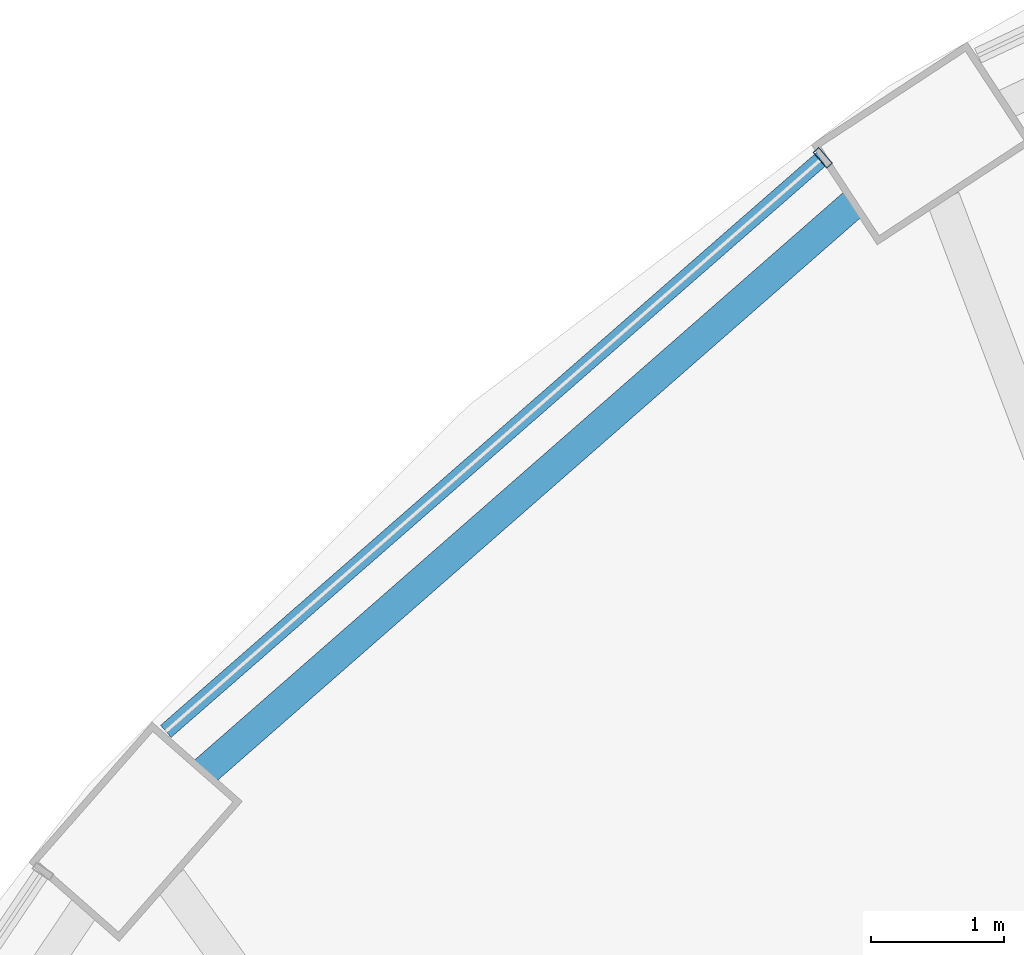
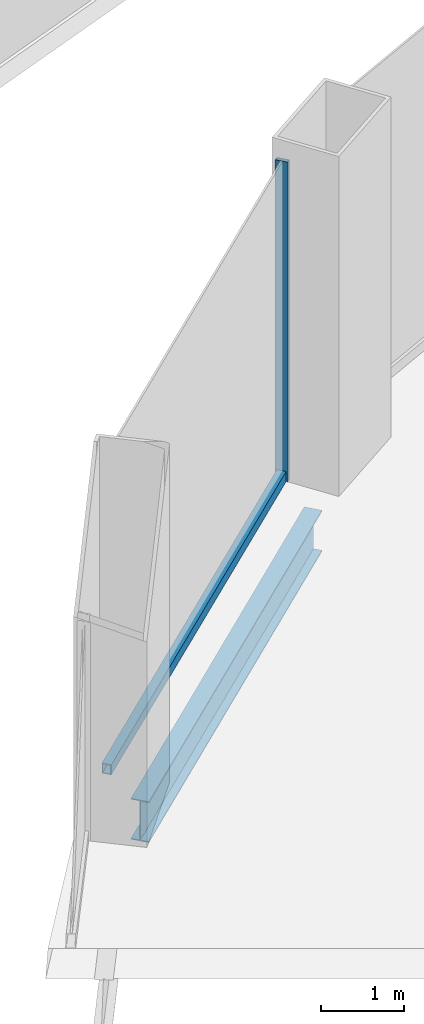
# One storey, part 29 of 47: 2 members, 1 beam, 1 element without a shape of its own.
"""IFC4 building model written with IfcOpenShell, lengths in metres."""

from ifc_helpers import new_model, si_unit, direction, frame, origin, origin_2d, place, context, subcontext, project, spatial, hollow_rectangle, i_section, extrude, material, layer, layer_set, material_profile, profile_set, type_object, element, aggregate, save


model = new_model("IFC4")

# Units and contexts
model_context = context("Model", 3, precision=1e-05, world=origin(), true_north=direction((0.0, 1.0)))
body_context = subcontext(model_context, "Body", "Model", "MODEL_VIEW")
ifc_project = project(units=[si_unit("LENGTHUNIT", "METRE"), si_unit("AREAUNIT", "SQUARE_METRE"), si_unit("VOLUMEUNIT", "CUBIC_METRE"), si_unit("PLANEANGLEUNIT", "RADIAN"), si_unit("MASSUNIT", "GRAM", prefix="KILO")], contexts=[model_context])

# Site, building, storey
site_placement = place(None, origin())
site = spatial("IfcSite", under=ifc_project, at=site_placement, CompositionType="ELEMENT")
building_placement = place(site_placement, origin())
building = spatial("IfcBuilding", under=site, at=building_placement, Name="Nagisa Residences", CompositionType="ELEMENT")
storey_placement = place(building_placement, frame((0.0, 0.0, 17.0)))
storey = spatial("IfcBuildingStorey", under=building, at=storey_placement, Name="L03", CompositionType="ELEMENT", Elevation=17.0)

# Curtain wall, members
ifc_material_1 = material(Name="Stainless steel curtain wall system", Category="steel")
ifc_layer = layer(ifc_material_1, 0.159912109375)
ifc_layer_set = layer_set([ifc_layer], Name="CW6 CURTAIN WALL")
curtain_wall_type = type_object("IfcCurtainWallType", Name="CW6 CURTAIN WALL", PredefinedType="NOTDEFINED", material=ifc_layer_set)
curtain_wall_placement = place(storey_placement, origin())
curtain_wall = element("IfcCurtainWall", 1, at=curtain_wall_placement, inside=storey, type_object=curtain_wall_type, Name="cw:CW6:L03:16", PredefinedType="NOTDEFINED")
ifc_material_2 = material(Name="Stainless steel", Category="steel")
ifc_material_profile_1 = material_profile(ifc_material_2, hollow_rectangle(XDim=0.159912109375, YDim=0.06005859375, WallThickness=0.006103515625, at=origin_2d()), Name="CW6 MULLION 160x60")
ifc_profile_set_1 = profile_set([ifc_material_profile_1], Name="Stainless steel")
member_type_1 = type_object("IfcMemberType", Name="CW6 MULLION 160x60", PredefinedType="MULLION", material=ifc_profile_set_1)
member_1_placement = place(storey_placement, frame((-11.397216796875, 28.038330078125, 0.0), z_axis=(0.0, 0.0, 1.0), x_axis=(0.657721475708, -0.753261216572, 0.0)))
member_1 = element("IfcMember", 2, at=member_1_placement, type_object=member_type_1, Name="CW6 mullion", PredefinedType="MULLION", context=body_context, shape_type="SweptSolid", body=[
    extrude(hollow_rectangle(XDim=0.159912109375, YDim=0.06005859375, WallThickness=0.006103515625, at=origin_2d()), origin(), (0.0, 0.0, 1.0), 4.699951171875),
])
ifc_material_3 = material(Name="Stainless steel", Category="steel")
ifc_material_profile_2 = material_profile(ifc_material_3, hollow_rectangle(XDim=0.1201171875, YDim=0.14990234375, WallThickness=0.008056640625, at=origin_2d()), Name="CW6 TRANSOM 120x150")
ifc_profile_set_2 = profile_set([ifc_material_profile_2], Name="Stainless steel")
member_type_2 = type_object("IfcMemberType", Name="CW6 TRANSOM 120x150", PredefinedType="USERDEFINED", material=ifc_profile_set_2)
member_2_placement = place(storey_placement, frame((-11.374755859375, 28.05810546875, 0.074951171875), z_axis=(-0.753255020636, -0.657728571591, 0.0), x_axis=(0.657728571591, -0.753255020636, 0.0)))
member_2 = element("IfcMember", 3, at=member_2_placement, type_object=member_type_2, Name="CW6 transom", ObjectType="TRANSOM", PredefinedType="USERDEFINED", context=body_context, shape_type="SweptSolid", body=[
    extrude(hollow_rectangle(XDim=0.1201171875, YDim=0.14990234375, WallThickness=0.008056640625, at=origin_2d()), origin(), (0.0, 0.0, 1.0), 6.5732421875),
])
aggregate(curtain_wall, [member_1, member_2])

# Beam
ifc_material_4 = material(Name="Steel ASTM A572 Gr 50", Category="steel")
ifc_material_profile_3 = material_profile(ifc_material_4, i_section(OverallWidth=0.22802734375, OverallDepth=0.60302734375, WebThickness=0.010498046875, FlangeThickness=0.014892578125, at=origin_2d()), Name="W610x101")
ifc_profile_set_3 = profile_set([ifc_material_profile_3], Name="Steel ASTM A572 Gr 50")
beam_type = type_object("IfcBeamType", Name="Perimeter ring beam W610x101", PredefinedType="BEAM", material=ifc_profile_set_3)
beam_placement = place(storey_placement, frame((-11.166748046875, 27.693603515625, -0.6015625), z_axis=(-0.752574357292, -0.658507279191, 0.0), x_axis=(0.658507279191, -0.752574357292, 0.0)))
element("IfcBeam", 4, at=beam_placement, inside=storey, type_object=beam_type, Name="beam:L03:pb09", PredefinedType="BEAM", context=body_context, shape_type="SweptSolid", body=[
    extrude(i_section(OverallWidth=0.22802734375, OverallDepth=0.60302734375, WebThickness=0.010498046875, FlangeThickness=0.014892578125, at=origin_2d()), origin(), (0.0, 0.0, 1.0), 6.47021484375),
])

save(model, "model.ifc")
